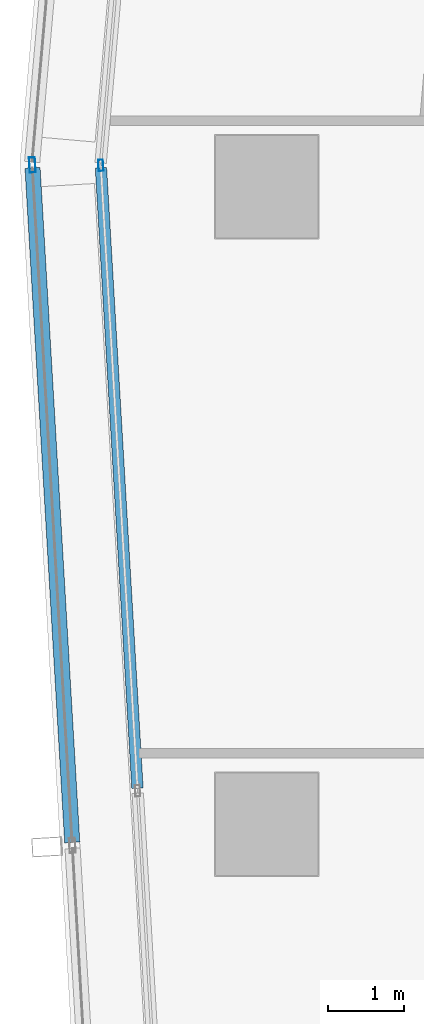
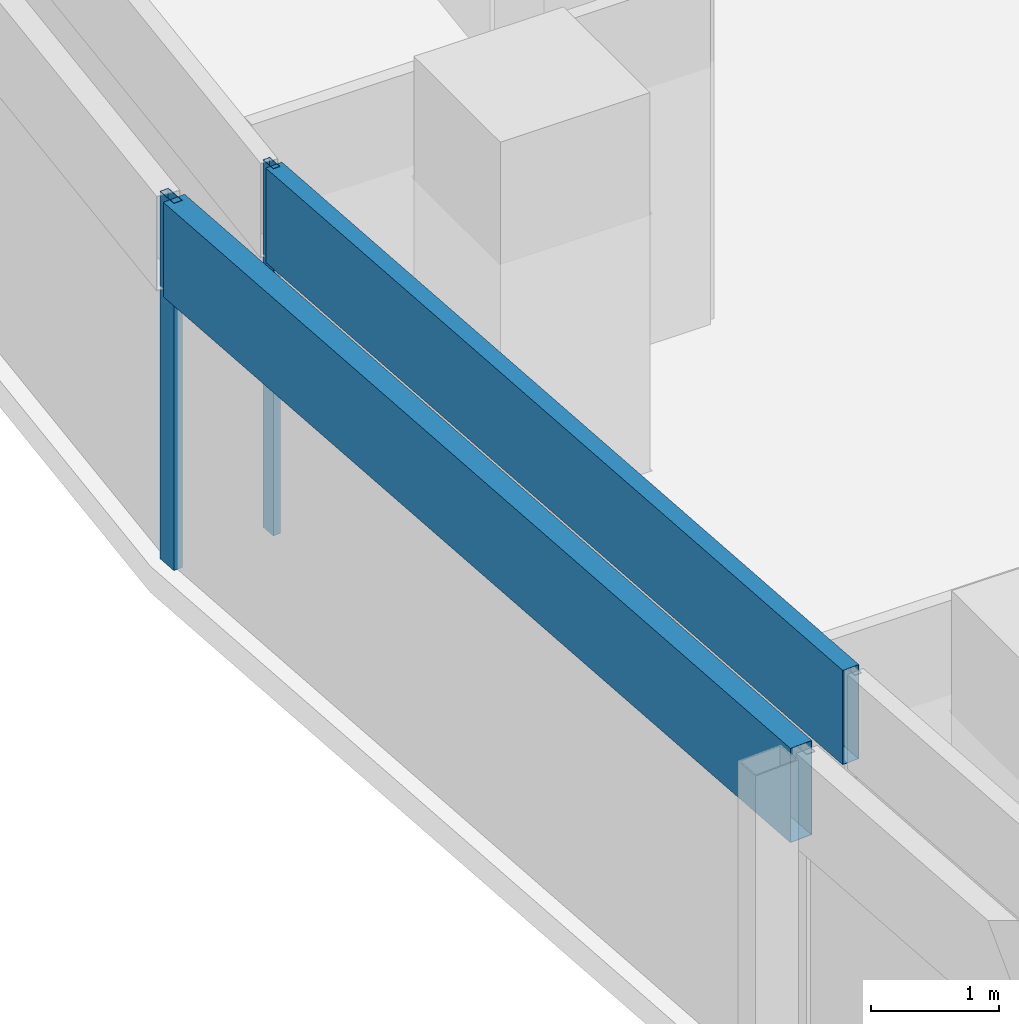
# One storey, part 9 of 38: 4 members, 2 elements without a shape of their own.
"""IFC4 building model written with IfcOpenShell, lengths in metres."""

from ifc_helpers import new_model, si_unit, direction, frame, origin, origin_2d, place, context, subcontext, project, spatial, hollow_rectangle, extrude, material, material_profile, profile_set, type_object, element, aggregate, save


model = new_model("IFC4")

# Units and contexts
model_context = context("Model", 3, precision=1e-05, world=origin(), true_north=direction((0.0, 1.0)))
body_context = subcontext(model_context, "Body", "Model", "MODEL_VIEW")
ifc_project = project(units=[si_unit("LENGTHUNIT", "METRE"), si_unit("AREAUNIT", "SQUARE_METRE"), si_unit("VOLUMEUNIT", "CUBIC_METRE"), si_unit("PLANEANGLEUNIT", "RADIAN"), si_unit("MASSUNIT", "GRAM", prefix="KILO")], contexts=[model_context])

# Site, building, storey
site_placement = place(None, origin())
site = spatial("IfcSite", under=ifc_project, at=site_placement, CompositionType="ELEMENT")
building_placement = place(site_placement, origin())
building = spatial("IfcBuilding", under=site, at=building_placement, Name="Rekha Terrace Tower", CompositionType="ELEMENT")
storey_placement = place(building_placement, frame((0.0, 0.0, 202.699951171875)))
storey = spatial("IfcBuildingStorey", under=building, at=storey_placement, Name="L51", CompositionType="ELEMENT", Elevation=202.699951171875)

# Curtain wall, members
ifc_material_1 = material(Name="Aluminium framing", Category="aluminium")
curtain_wall_type_1 = type_object("IfcCurtainWallType", Name="CW1 double skin inner glazing", PredefinedType="USERDEFINED", material=ifc_material_1)
curtain_wall_1_placement = place(storey_placement, origin())
curtain_wall_1 = element("IfcCurtainWall", 1, at=curtain_wall_1_placement, inside=storey, type_object=curtain_wall_type_1, Name="CW1 double skin inner glazing", ObjectType="DOUBLE SKIN INNER GLAZING", PredefinedType="USERDEFINED")
ifc_material_2 = material(Name="Aluminium mullion section", Category="aluminium")
ifc_material_profile_1 = material_profile(ifc_material_2, hollow_rectangle(XDim=0.06494140625, YDim=0.14990234375, WallThickness=0.00390625, at=origin_2d()), Name="AL RHS 65x150")
ifc_profile_set_1 = profile_set([ifc_material_profile_1], Name="Aluminium mullion section")
member_type_1 = type_object("IfcMemberType", Name="CW1 mullion RHS 65 x 150", PredefinedType="MULLION", material=ifc_profile_set_1)
member_1_placement = place(storey_placement, frame((6.214599609375, 42.281982421875, 0.0), z_axis=(0.0, 0.0, 1.0), x_axis=(0.998271839269, 0.058765082516, 0.0)))
member_1 = element("IfcMember", 2, at=member_1_placement, type_object=member_type_1, Name="CW1 mullion 1", PredefinedType="MULLION", context=body_context, shape_type="SweptSolid", body=[
    extrude(hollow_rectangle(XDim=0.06494140625, YDim=0.14990234375, WallThickness=0.00390625, at=origin_2d()), origin(), (0.0, 0.0, 1.0), 3.5),
])
ifc_material_3 = material(Name="Insulated aluminium spandrel box", Category="aluminium")
ifc_material_profile_2 = material_profile(ifc_material_3, hollow_rectangle(XDim=0.14990234375, YDim=0.89990234375, WallThickness=0.0029296875, at=origin_2d()), Name="AL SPANDREL BOX 150x900")
ifc_profile_set_2 = profile_set([ifc_material_profile_2], Name="Insulated aluminium spandrel box")
member_type_2 = type_object("IfcMemberType", Name="CW1 spandrel transom 150 x 900", PredefinedType="USERDEFINED", material=ifc_profile_set_2)
member_2_placement = place(storey_placement, frame((6.216552734375, 42.24951171875, 3.050048828125), z_axis=(0.058777934282, -0.998271082643, 0.0), x_axis=(0.998271082643, 0.058777934282, 0.0)))
member_2 = element("IfcMember", 3, at=member_2_placement, type_object=member_type_2, Name="CW1 spandrel transom 1", ObjectType="TRANSOM", PredefinedType="USERDEFINED", context=body_context, shape_type="SweptSolid", body=[
    extrude(hollow_rectangle(XDim=0.14990234375, YDim=0.89990234375, WallThickness=0.0029296875, at=origin_2d()), origin(), (0.0, 0.0, 1.0), 8.19091796875),
])
aggregate(curtain_wall_1, [member_1, member_2])

curtain_wall_type_2 = type_object("IfcCurtainWallType", Name="CW2 double skin outer glazing", PredefinedType="USERDEFINED", material=ifc_material_1)
curtain_wall_2_placement = place(storey_placement, origin())
curtain_wall_2 = element("IfcCurtainWall", 4, at=curtain_wall_2_placement, inside=storey, type_object=curtain_wall_type_2, Name="CW2 double skin outer glazing", ObjectType="DOUBLE SKIN OUTER GLAZING", PredefinedType="USERDEFINED")
ifc_material_profile_3 = material_profile(ifc_material_2, hollow_rectangle(XDim=0.080078125, YDim=0.199951171875, WallThickness=0.00390625, at=origin_2d()), Name="AL RHS 80x200")
ifc_profile_set_3 = profile_set([ifc_material_profile_3], Name="Aluminium mullion section")
member_type_3 = type_object("IfcMemberType", Name="CW2 mullion RHS 80 x 200", PredefinedType="MULLION", material=ifc_profile_set_3)
member_3_placement = place(storey_placement, frame((5.312744140625, 42.287841796875, 0.0), z_axis=(0.0, 0.0, 1.0), x_axis=(0.99827183927, 0.058765082499, 0.0)))
member_3 = element("IfcMember", 5, at=member_3_placement, type_object=member_type_3, Name="CW2 mullion 1", PredefinedType="MULLION", context=body_context, shape_type="SweptSolid", body=[
    extrude(hollow_rectangle(XDim=0.080078125, YDim=0.199951171875, WallThickness=0.00390625, at=origin_2d()), origin(), (0.0, 0.0, 1.0), 3.5),
])
ifc_material_profile_4 = material_profile(ifc_material_3, hollow_rectangle(XDim=0.199951171875, YDim=0.89990234375, WallThickness=0.0029296875, at=origin_2d()), Name="AL SPANDREL BOX 200x900")
ifc_profile_set_4 = profile_set([ifc_material_profile_4], Name="Insulated aluminium spandrel box")
member_type_4 = type_object("IfcMemberType", Name="CW2 spandrel transom 200 x 900", PredefinedType="USERDEFINED", material=ifc_profile_set_4)
member_4_placement = place(storey_placement, frame((5.315185546875, 42.247802734375, 3.050048828125), z_axis=(0.058762207171, -0.998272008527, 0.0), x_axis=(0.998272008527, 0.058762207171, 0.0)))
member_4 = element("IfcMember", 6, at=member_4_placement, type_object=member_type_4, Name="CW2 spandrel transom 1", ObjectType="TRANSOM", PredefinedType="USERDEFINED", context=body_context, shape_type="SweptSolid", body=[
    extrude(hollow_rectangle(XDim=0.199951171875, YDim=0.89990234375, WallThickness=0.0029296875, at=origin_2d()), origin(), (0.0, 0.0, 1.0), 8.903564453125),
])
aggregate(curtain_wall_2, [member_3, member_4])

save(model, "model.ifc")
